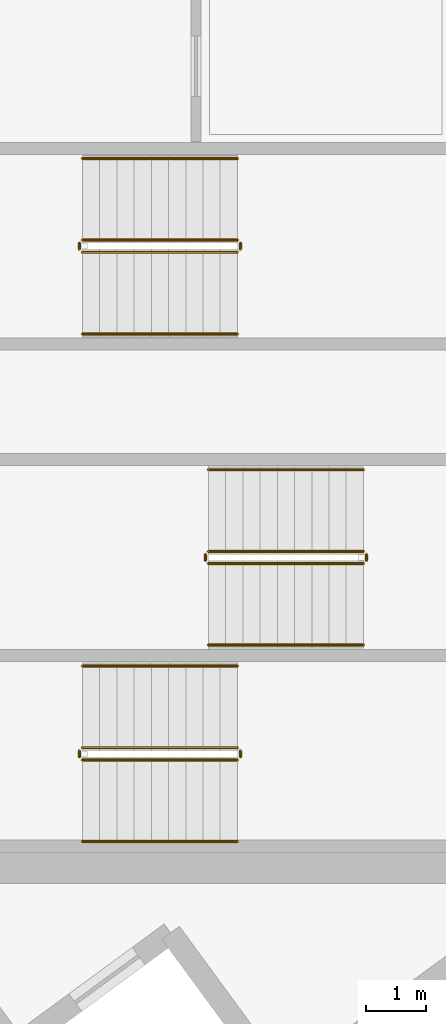
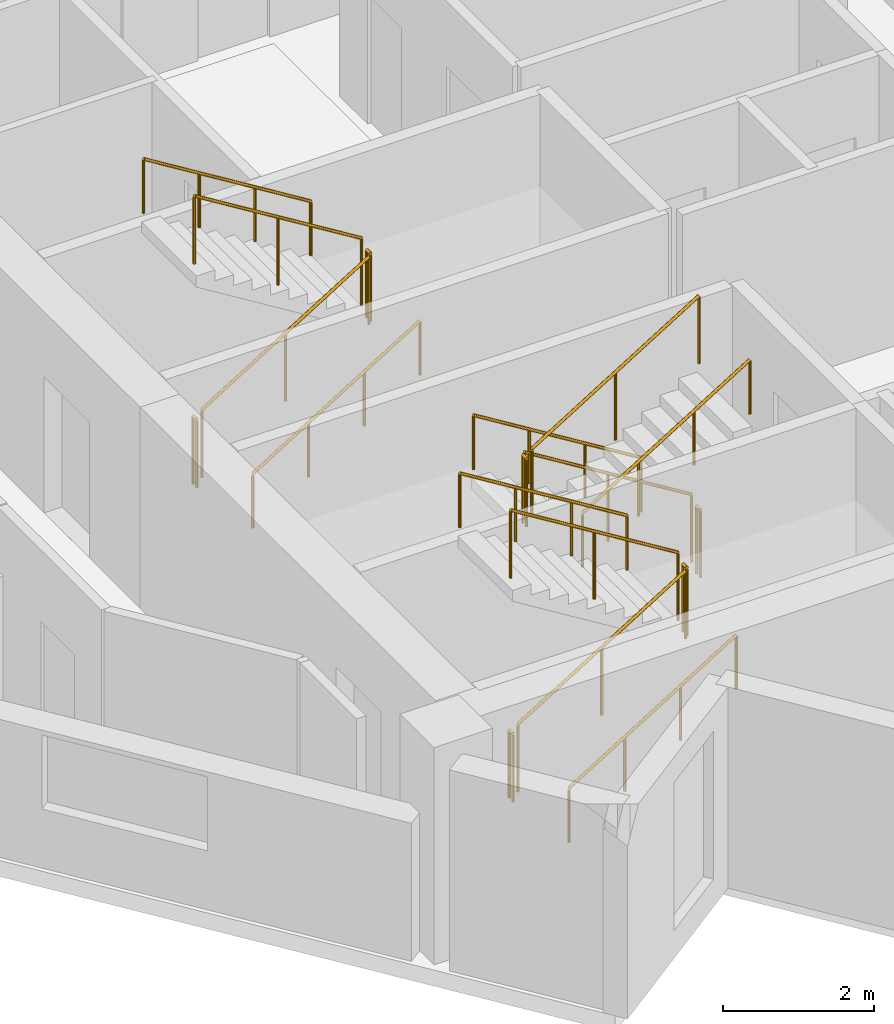
# One storey, part 13 of 14: 18 railings.
"""IFC4 building model written with IfcOpenShell, lengths in metres."""

import ifcopenshell
import ifcopenshell.guid

model = None  # the IFC model being written
_history = None  # IfcOwnerHistory: only IFC2X3 demands one
_inside = {}  # id of a spatial element -> (the spatial element, [elements in it])
_under = {}  # id of a project, library or spatial element -> (it, [spatial elements below it])
_declared = {}  # id of a project -> (the project, [libraries it declares])
_typed = {}  # id of a type object -> (the type object, [elements of that type])
_made_of = {}  # id of a material, layer set ... -> (it, [elements and type objects made of it])


def new_model(schema):
    """Start an empty IFC model of exactly this schema.

    Asked for "IFC4X3", IfcOpenShell would pick the latest addendum, in which some entities
    have other attributes; the version numbers below select the first issue.
    IFC2X3 requires an IfcOwnerHistory on every rooted entity: one is made here for all.
    """
    global model, _history
    if schema == "IFC4X3":
        model = ifcopenshell.file(schema_version=(4, 3, 0, 0))
    else:
        model = ifcopenshell.file(schema=schema)
    _inside.clear()
    _under.clear()
    _declared.clear()
    _typed.clear()
    _made_of.clear()
    _history = None
    if model.schema == "IFC2X3":
        org = make("IfcOrganization", Name="unknown")
        user = make(
            "IfcPersonAndOrganization",
            ThePerson=make("IfcPerson", FamilyName="unknown"),
            TheOrganization=org,
        )
        app = make(
            "IfcApplication",
            ApplicationDeveloper=org,
            Version="unknown",
            ApplicationFullName="unknown",
            ApplicationIdentifier="unknown",
        )
        _history = make(
            "IfcOwnerHistory",
            OwningUser=user,
            OwningApplication=app,
            ChangeAction="ADDED",
            CreationDate=0,
        )
    return model


def make(cls, **values):
    """One entity of the class cls with the attributes given. An attribute that is None is left unset."""
    return model.create_entity(
        cls, **{name: value for name, value in values.items() if value is not None}
    )


def rooted(cls, **values):
    """An entity with a GlobalId (a new one), such as an element, a storey or a relation."""
    return make(cls, GlobalId=ifcopenshell.guid.new(), OwnerHistory=_history, **values)


def si_unit(unit_type, name, prefix=None):
    """IfcSIUnit, for example si_unit("LENGTHUNIT", "METRE", prefix="MILLI")."""
    return make("IfcSIUnit", UnitType=unit_type, Prefix=prefix, Name=name)


def assignment(units):
    """IfcUnitAssignment: the units of a project."""
    return None if units is None else make("IfcUnitAssignment", Units=units)


def point(xyz):
    """IfcCartesianPoint."""
    return None if xyz is None else make("IfcCartesianPoint", Coordinates=xyz)


def direction(xyz):
    """IfcDirection."""
    return None if xyz is None else make("IfcDirection", DirectionRatios=xyz)


def frame(location, z_axis=None, x_axis=None):
    """IfcAxis2Placement3D, a coordinate frame: its origin and axes. An axis left out is left unset."""
    return make(
        "IfcAxis2Placement3D",
        Location=point(location),
        Axis=direction(z_axis),
        RefDirection=direction(x_axis),
    )


def frame_2d(location, x_axis=None):
    """IfcAxis2Placement2D, a coordinate frame in the plane: its origin and x axis."""
    return make(
        "IfcAxis2Placement2D", Location=point(location), RefDirection=direction(x_axis)
    )


def origin():
    """The frame at (0, 0, 0) with its axes left unset."""
    return frame((0.0, 0.0, 0.0))


def origin_2d():
    """The frame at (0, 0) in the plane with its x axis left unset."""
    return frame_2d((0.0, 0.0))


def place(relative_to, where):
    """IfcLocalPlacement: puts the frame where relative to a parent placement (None: the world)."""
    return make(
        "IfcLocalPlacement", PlacementRelTo=relative_to, RelativePlacement=where
    )


def context(
    kind, dimensions, precision=None, world=None, true_north=None, identifier=None
):
    """IfcGeometricRepresentationContext, for example the 3D "Model" context."""
    return make(
        "IfcGeometricRepresentationContext",
        ContextIdentifier=identifier,
        ContextType=kind,
        CoordinateSpaceDimension=dimensions,
        Precision=precision,
        WorldCoordinateSystem=world,
        TrueNorth=true_north,
    )


def subcontext(parent, identifier, kind, view, scale=None):
    """IfcGeometricRepresentationSubContext, for example "Body" below "Model"."""
    return make(
        "IfcGeometricRepresentationSubContext",
        ContextIdentifier=identifier,
        ContextType=kind,
        ParentContext=parent,
        TargetScale=scale,
        TargetView=view,
    )


def project(units=None, contexts=None):
    """IfcProject with its units and contexts."""
    return rooted(
        "IfcProject",
        Name="project",
        RepresentationContexts=contexts,
        UnitsInContext=assignment(units),
    )


def spatial(cls, under=None, at=None, **own):
    """A site, building, storey or space (cls), placed at a placement, below another one or the project."""
    s = rooted(cls, ObjectPlacement=at, **own)
    if under is not None:
        _under.setdefault(under.id(), (under, []))[1].append(s)
    return s


def profile(cls, at=None, kind="AREA", **sizes):
    """A parametric profile (cls). Its sizes go by their IFC names, for example OverallWidth=200.0."""
    return make(cls, ProfileType=kind, Position=at, **sizes)


def circle(**sizes):
    """IfcCircleProfileDef."""
    return profile("IfcCircleProfileDef", **sizes)


def extrude(swept, where, along, depth):
    """IfcExtrudedAreaSolid: the profile swept, set in the frame where, extruded along a direction by depth."""
    return make(
        "IfcExtrudedAreaSolid",
        SweptArea=swept,
        Position=where,
        ExtrudedDirection=direction(along),
        Depth=depth,
    )


def shape(context_of_items, identifier, shape_type, items):
    """IfcShapeRepresentation: the items that make up one representation, for example the "Body"."""
    return make(
        "IfcShapeRepresentation",
        ContextOfItems=context_of_items,
        RepresentationIdentifier=identifier,
        RepresentationType=shape_type,
        Items=items,
    )


def material(Name=None, Category=None):
    """IfcMaterial."""
    return make("IfcMaterial", Name=Name, Category=Category)


def made_of(thing, what):
    """Note that an element or type object is made of a material, layer set ...; save() writes the relation."""
    if what is not None:
        _made_of.setdefault(what.id(), (what, []))[1].append(thing)
    return thing


def type_object(cls, material=None, **own):
    """A type object (cls), such as IfcWallType, which elements share."""
    return made_of(rooted(cls, **own), material)


def element(
    cls,
    number,
    at=None,
    inside=None,
    cuts=None,
    type_object=None,
    material=None,
    context=None,
    identifier="Body",
    shape_type=None,
    held_by="IfcProductDefinitionShape",
    body=None,
    shapes=None,
    **own,
):
    """One element of the class cls, such as IfcWall. Its Tag is "e" and its number.

    at: its placement. inside: the storey or other place that contains it. cuts: it is an
    opening in that element (IfcRelVoidsElement). A single representation is given by context,
    identifier, shape_type and body (its items); several are given by shapes. held_by: the class
    of the entity that holds the representations. save() writes the other relations.
    """
    e = rooted(cls, Tag="e%d" % number, ObjectPlacement=at, **own)
    if body is not None:
        shapes = [shape(context, identifier, shape_type, body)]
    if shapes is not None:
        e.Representation = make(held_by, Representations=shapes)
    if inside is not None:
        _inside.setdefault(inside.id(), (inside, []))[1].append(e)
    if cuts is not None:
        rooted(
            "IfcRelVoidsElement", RelatingBuildingElement=cuts, RelatedOpeningElement=e
        )
    if type_object is not None:
        _typed.setdefault(type_object.id(), (type_object, []))[1].append(e)
    return made_of(e, material)


def aggregate(whole, parts):
    """IfcRelAggregates: a whole, such as a stair, and the parts it consists of."""
    return rooted("IfcRelAggregates", RelatingObject=whole, RelatedObjects=parts)


def save(model, path):
    """Write the relations noted so far, then the file.

    IfcRelAggregates (storeys below a building ...), IfcRelContainedInSpatialStructure (elements
    in a storey), IfcRelDefinesByType, IfcRelAssociatesMaterial and IfcRelDeclares: one each for
    every whole, place, type object, material and project.
    """
    for whole, parts in _under.values():
        aggregate(whole, parts)
    for where, things in _inside.values():
        rooted(
            "IfcRelContainedInSpatialStructure",
            RelatedElements=things,
            RelatingStructure=where,
        )
    for kind, things in _typed.values():
        rooted("IfcRelDefinesByType", RelatedObjects=things, RelatingType=kind)
    for what, things in _made_of.values():
        rooted("IfcRelAssociatesMaterial", RelatedObjects=things, RelatingMaterial=what)
    for by, libraries in _declared.values():
        rooted("IfcRelDeclares", RelatingContext=by, RelatedDefinitions=libraries)
    model.write(path)


model = new_model("IFC4")

# Units and contexts
model_context = context("Model", 3, precision=1e-05, world=origin(), true_north=direction((0.0, 1.0)))
body_context = subcontext(model_context, "Body", "Model", "MODEL_VIEW")
ifc_project = project(units=[si_unit("LENGTHUNIT", "METRE"), si_unit("AREAUNIT", "SQUARE_METRE"), si_unit("VOLUMEUNIT", "CUBIC_METRE"), si_unit("PLANEANGLEUNIT", "RADIAN"), si_unit("MASSUNIT", "GRAM", prefix="KILO")], contexts=[model_context])

# Site, building, storey
site_placement = place(None, origin())
site = spatial("IfcSite", under=ifc_project, at=site_placement, CompositionType="ELEMENT")
building_placement = place(site_placement, origin())
building = spatial("IfcBuilding", under=site, at=building_placement, Name="Narakoshi Arena Tower", CompositionType="ELEMENT")
storey_placement = place(building_placement, frame((0.0, 0.0, 260.739990234375)))
storey = spatial("IfcBuildingStorey", under=building, at=storey_placement, Name="L71", CompositionType="ELEMENT", Elevation=260.739990234375)

# Railings
ifc_material_1 = material(Name="Clear low-iron laminated structural glass", Category="glass")
railing_type_1 = type_object("IfcRailingType", Name="RL-BAL-1100", PredefinedType="BALUSTRADE", material=ifc_material_1)
railing_1_placement = place(storey_placement, frame((74.39990234375, 36.949951171875, 0.176025390625)))
element("IfcRailing", 1, at=railing_1_placement, inside=storey, type_object=railing_type_1, Name="L71 ST1 stair guard 1", PredefinedType="BALUSTRADE", context=body_context, shape_type="SweptSolid", body=[
    extrude(circle(Radius=0.02392578125, at=origin_2d()), frame((0.0, 0.0, 1.09619140625), z_axis=(0.850856559306, 0.0, 0.525398054323), x_axis=(0.0, 1.0, 0.0)), (0.0, 0.0, 1.0), 3.014892578125),
    extrude(circle(Radius=0.02099609375, at=origin_2d()), origin(), (0.0, 0.0, 1.0), 1.072021484375),
    extrude(circle(Radius=0.02099609375, at=origin_2d()), frame((1.28271484375, 0.0, 0.7919921875)), (0.0, 0.0, 1.0), 1.072021484375),
    extrude(circle(Radius=0.02099609375, at=origin_2d()), frame((2.565185546875, 0.0, 1.583984375)), (0.0, 0.0, 1.0), 1.072021484375),
])
railing_2_placement = place(storey_placement, frame((77.014892578125, 37.0, 1.760009765625)))
element("IfcRailing", 2, at=railing_2_placement, inside=storey, type_object=railing_type_1, Name="L71 ST1 stair guard 2", PredefinedType="BALUSTRADE", context=body_context, shape_type="SweptSolid", body=[
    extrude(circle(Radius=0.02392578125, at=origin_2d()), frame((0.0, 0.0, 1.09619140625), z_axis=(0.0, 1.0, 0.0), x_axis=(-1.0, 0.0, 0.0)), (0.0, 0.0, 1.0), 0.10009765625),
    extrude(circle(Radius=0.02099609375, at=origin_2d()), origin(), (0.0, 0.0, 1.0), 1.072021484375),
    extrude(circle(Radius=0.02099609375, at=origin_2d()), frame((0.0, 0.10009765625, 0.0)), (0.0, 0.0, 1.0), 1.072021484375),
])
railing_3_placement = place(storey_placement, frame((76.965087890625, 37.14990234375, 1.93603515625)))
element("IfcRailing", 3, at=railing_3_placement, inside=storey, type_object=railing_type_1, Name="L71 ST1 stair guard 3", PredefinedType="BALUSTRADE", context=body_context, shape_type="SweptSolid", body=[
    extrude(circle(Radius=0.02392578125, at=origin_2d()), frame((0.0, 0.0, 1.09619140625), z_axis=(-0.850856559306, 0.0, 0.525398054323), x_axis=(0.0, -1.0, 0.0)), (0.0, 0.0, 1.0), 3.014892578125),
    extrude(circle(Radius=0.02099609375, at=origin_2d()), origin(), (0.0, 0.0, 1.0), 1.072021484375),
    extrude(circle(Radius=0.02099609375, at=origin_2d()), frame((-1.28271484375, 0.0, 0.7919921875)), (0.0, 0.0, 1.0), 1.072021484375),
    extrude(circle(Radius=0.02099609375, at=origin_2d()), frame((-2.565185546875, 0.0, 1.583984375)), (0.0, 0.0, 1.0), 1.072021484375),
])
railing_4_placement = place(storey_placement, frame((74.35009765625, 37.0, 0.0)))
element("IfcRailing", 4, at=railing_4_placement, inside=storey, type_object=railing_type_1, Name="L71 ST1 stair guard 4", PredefinedType="BALUSTRADE", context=body_context, shape_type="SweptSolid", body=[
    extrude(circle(Radius=0.02392578125, at=origin_2d()), frame((0.0, 0.0, 1.09619140625), z_axis=(0.0, 1.0, 0.0), x_axis=(-1.0, 0.0, 0.0)), (0.0, 0.0, 1.0), 0.10009765625),
    extrude(circle(Radius=0.02099609375, at=origin_2d()), origin(), (0.0, 0.0, 1.0), 1.072021484375),
    extrude(circle(Radius=0.02099609375, at=origin_2d()), frame((0.0, 0.10009765625, 0.0)), (0.0, 0.0, 1.0), 1.072021484375),
])
railing_5_placement = place(storey_placement, frame((79.050048828125, 40.39990234375, 0.176025390625)))
element("IfcRailing", 5, at=railing_5_placement, inside=storey, type_object=railing_type_1, Name="L71 ST2 stair guard 1", PredefinedType="BALUSTRADE", context=body_context, shape_type="SweptSolid", body=[
    extrude(circle(Radius=0.02392578125, at=origin_2d()), frame((0.0, 0.0, 1.09619140625), z_axis=(-0.850834203031, 0.0, 0.525434257497), x_axis=(0.0, -1.0, 0.0)), (0.0, 0.0, 1.0), 3.0146484375),
    extrude(circle(Radius=0.02099609375, at=origin_2d()), origin(), (0.0, 0.0, 1.0), 1.072021484375),
    extrude(circle(Radius=0.02099609375, at=origin_2d()), frame((-1.282470703125, 0.0, 0.7919921875)), (0.0, 0.0, 1.0), 1.072021484375),
    extrude(circle(Radius=0.02099609375, at=origin_2d()), frame((-2.56494140625, 0.0, 1.583984375)), (0.0, 0.0, 1.0), 1.072021484375),
])
railing_6_placement = place(storey_placement, frame((76.43505859375, 40.35009765625, 1.760009765625)))
element("IfcRailing", 6, at=railing_6_placement, inside=storey, type_object=railing_type_1, Name="L71 ST2 stair guard 2", PredefinedType="BALUSTRADE", context=body_context, shape_type="SweptSolid", body=[
    extrude(circle(Radius=0.02392578125, at=origin_2d()), frame((0.0, 0.0, 1.09619140625), z_axis=(0.0, -1.0, 0.0), x_axis=(1.0, 0.0, 0.0)), (0.0, 0.0, 1.0), 0.10009765625),
    extrude(circle(Radius=0.02099609375, at=origin_2d()), origin(), (0.0, 0.0, 1.0), 1.072021484375),
    extrude(circle(Radius=0.02099609375, at=origin_2d()), frame((0.0, -0.10009765625, 0.0)), (0.0, 0.0, 1.0), 1.072021484375),
])
railing_7_placement = place(storey_placement, frame((76.485107421875, 40.199951171875, 1.93603515625)))
element("IfcRailing", 7, at=railing_7_placement, inside=storey, type_object=railing_type_1, Name="L71 ST2 stair guard 3", PredefinedType="BALUSTRADE", context=body_context, shape_type="SweptSolid", body=[
    extrude(circle(Radius=0.02392578125, at=origin_2d()), frame((0.0, 0.0, 1.09619140625), z_axis=(0.850834203031, 0.0, 0.525434257497), x_axis=(0.0, 1.0, 0.0)), (0.0, 0.0, 1.0), 3.0146484375),
    extrude(circle(Radius=0.02099609375, at=origin_2d()), origin(), (0.0, 0.0, 1.0), 1.072021484375),
    extrude(circle(Radius=0.02099609375, at=origin_2d()), frame((1.282470703125, 0.0, 0.7919921875)), (0.0, 0.0, 1.0), 1.072021484375),
    extrude(circle(Radius=0.02099609375, at=origin_2d()), frame((2.56494140625, 0.0, 1.583984375)), (0.0, 0.0, 1.0), 1.072021484375),
])
railing_8_placement = place(storey_placement, frame((79.10009765625, 40.35009765625, 0.0)))
element("IfcRailing", 8, at=railing_8_placement, inside=storey, type_object=railing_type_1, Name="L71 ST2 stair guard 4", PredefinedType="BALUSTRADE", context=body_context, shape_type="SweptSolid", body=[
    extrude(circle(Radius=0.02392578125, at=origin_2d()), frame((0.0, 0.0, 1.09619140625), z_axis=(0.0, -1.0, 0.0), x_axis=(1.0, 0.0, 0.0)), (0.0, 0.0, 1.0), 0.10009765625),
    extrude(circle(Radius=0.02099609375, at=origin_2d()), origin(), (0.0, 0.0, 1.0), 1.072021484375),
    extrude(circle(Radius=0.02099609375, at=origin_2d()), frame((0.0, -0.10009765625, 0.0)), (0.0, 0.0, 1.0), 1.072021484375),
])
railing_9_placement = place(storey_placement, frame((74.39990234375, 45.35009765625, 0.176025390625)))
element("IfcRailing", 9, at=railing_9_placement, inside=storey, type_object=railing_type_1, Name="L71 ST3 stair guard 1", PredefinedType="BALUSTRADE", context=body_context, shape_type="SweptSolid", body=[
    extrude(circle(Radius=0.02392578125, at=origin_2d()), frame((0.0, 0.0, 1.09619140625), z_axis=(0.850856559306, 0.0, 0.525398054323), x_axis=(0.0, 1.0, 0.0)), (0.0, 0.0, 1.0), 3.014892578125),
    extrude(circle(Radius=0.02099609375, at=origin_2d()), origin(), (0.0, 0.0, 1.0), 1.072021484375),
    extrude(circle(Radius=0.02099609375, at=origin_2d()), frame((1.28271484375, 0.0, 0.7919921875)), (0.0, 0.0, 1.0), 1.072021484375),
    extrude(circle(Radius=0.02099609375, at=origin_2d()), frame((2.565185546875, 0.0, 1.583984375)), (0.0, 0.0, 1.0), 1.072021484375),
])
railing_10_placement = place(storey_placement, frame((77.014892578125, 45.39990234375, 1.760009765625)))
element("IfcRailing", 10, at=railing_10_placement, inside=storey, type_object=railing_type_1, Name="L71 ST3 stair guard 2", PredefinedType="BALUSTRADE", context=body_context, shape_type="SweptSolid", body=[
    extrude(circle(Radius=0.02392578125, at=origin_2d()), frame((0.0, 0.0, 1.09619140625), z_axis=(0.0, 1.0, 0.0), x_axis=(-1.0, 0.0, 0.0)), (0.0, 0.0, 1.0), 0.10009765625),
    extrude(circle(Radius=0.02099609375, at=origin_2d()), origin(), (0.0, 0.0, 1.0), 1.072021484375),
    extrude(circle(Radius=0.02099609375, at=origin_2d()), frame((0.0, 0.10009765625, 0.0)), (0.0, 0.0, 1.0), 1.072021484375),
])
railing_11_placement = place(storey_placement, frame((76.965087890625, 45.550048828125, 1.93603515625)))
element("IfcRailing", 11, at=railing_11_placement, inside=storey, type_object=railing_type_1, Name="L71 ST3 stair guard 3", PredefinedType="BALUSTRADE", context=body_context, shape_type="SweptSolid", body=[
    extrude(circle(Radius=0.02392578125, at=origin_2d()), frame((0.0, 0.0, 1.09619140625), z_axis=(-0.850856559306, 0.0, 0.525398054323), x_axis=(0.0, -1.0, 0.0)), (0.0, 0.0, 1.0), 3.014892578125),
    extrude(circle(Radius=0.02099609375, at=origin_2d()), origin(), (0.0, 0.0, 1.0), 1.072021484375),
    extrude(circle(Radius=0.02099609375, at=origin_2d()), frame((-1.28271484375, 0.0, 0.7919921875)), (0.0, 0.0, 1.0), 1.072021484375),
    extrude(circle(Radius=0.02099609375, at=origin_2d()), frame((-2.565185546875, 0.0, 1.583984375)), (0.0, 0.0, 1.0), 1.072021484375),
])
railing_12_placement = place(storey_placement, frame((74.35009765625, 45.39990234375, 0.0)))
element("IfcRailing", 12, at=railing_12_placement, inside=storey, type_object=railing_type_1, Name="L71 ST3 stair guard 4", PredefinedType="BALUSTRADE", context=body_context, shape_type="SweptSolid", body=[
    extrude(circle(Radius=0.02392578125, at=origin_2d()), frame((0.0, 0.0, 1.09619140625), z_axis=(0.0, 1.0, 0.0), x_axis=(-1.0, 0.0, 0.0)), (0.0, 0.0, 1.0), 0.10009765625),
    extrude(circle(Radius=0.02099609375, at=origin_2d()), origin(), (0.0, 0.0, 1.0), 1.072021484375),
    extrude(circle(Radius=0.02099609375, at=origin_2d()), frame((0.0, 0.10009765625, 0.0)), (0.0, 0.0, 1.0), 1.072021484375),
])
ifc_material_2 = material(Name="Brushed bronze stainless steel", Category="steel")
railing_type_2 = type_object("IfcRailingType", Name="RL-HND-900", PredefinedType="HANDRAIL", material=ifc_material_2)
railing_13_placement = place(storey_placement, frame((74.39990234375, 35.60009765625, 0.176025390625)))
element("IfcRailing", 13, at=railing_13_placement, inside=storey, type_object=railing_type_2, Name="L71 ST1 stair handrail 1", PredefinedType="HANDRAIL", context=body_context, shape_type="SweptSolid", body=[
    extrude(circle(Radius=0.02392578125, at=origin_2d()), frame((0.0, 0.0, 0.8759765625), z_axis=(0.850856559306, 0.0, 0.525398054323), x_axis=(0.0, 1.0, 0.0)), (0.0, 0.0, 1.0), 3.014892578125),
    extrude(circle(Radius=0.02099609375, at=origin_2d()), origin(), (0.0, 0.0, 1.0), 0.851806640625),
    extrude(circle(Radius=0.02099609375, at=origin_2d()), frame((0.85498046875, 0.0, 0.528076171875)), (0.0, 0.0, 1.0), 0.851806640625),
    extrude(circle(Radius=0.02099609375, at=origin_2d()), frame((1.710205078125, 0.0, 1.055908203125)), (0.0, 0.0, 1.0), 0.851806640625),
    extrude(circle(Radius=0.02099609375, at=origin_2d()), frame((2.565185546875, 0.0, 1.583984375)), (0.0, 0.0, 1.0), 0.851806640625),
])
railing_14_placement = place(storey_placement, frame((76.965087890625, 38.5, 1.93603515625)))
element("IfcRailing", 14, at=railing_14_placement, inside=storey, type_object=railing_type_2, Name="L71 ST1 stair handrail 2", PredefinedType="HANDRAIL", context=body_context, shape_type="SweptSolid", body=[
    extrude(circle(Radius=0.02392578125, at=origin_2d()), frame((0.0, 0.0, 0.8759765625), z_axis=(-0.850856559306, 0.0, 0.525398054323), x_axis=(0.0, -1.0, 0.0)), (0.0, 0.0, 1.0), 3.014892578125),
    extrude(circle(Radius=0.02099609375, at=origin_2d()), origin(), (0.0, 0.0, 1.0), 0.851806640625),
    extrude(circle(Radius=0.02099609375, at=origin_2d()), frame((-0.85498046875, 0.0, 0.528076171875)), (0.0, 0.0, 1.0), 0.851806640625),
    extrude(circle(Radius=0.02099609375, at=origin_2d()), frame((-1.710205078125, 0.0, 1.055908203125)), (0.0, 0.0, 1.0), 0.851806640625),
    extrude(circle(Radius=0.02099609375, at=origin_2d()), frame((-2.565185546875, 0.0, 1.583984375)), (0.0, 0.0, 1.0), 0.851806640625),
])
railing_15_placement = place(storey_placement, frame((79.050048828125, 41.75, 0.176025390625)))
element("IfcRailing", 15, at=railing_15_placement, inside=storey, type_object=railing_type_2, Name="L71 ST2 stair handrail 1", PredefinedType="HANDRAIL", context=body_context, shape_type="SweptSolid", body=[
    extrude(circle(Radius=0.02392578125, at=origin_2d()), frame((0.0, 0.0, 0.8759765625), z_axis=(-0.850834203031, 0.0, 0.525434257497), x_axis=(0.0, -1.0, 0.0)), (0.0, 0.0, 1.0), 3.0146484375),
    extrude(circle(Radius=0.02099609375, at=origin_2d()), origin(), (0.0, 0.0, 1.0), 0.851806640625),
    extrude(circle(Radius=0.02099609375, at=origin_2d()), frame((-0.85498046875, 0.0, 0.528076171875)), (0.0, 0.0, 1.0), 0.851806640625),
    extrude(circle(Radius=0.02099609375, at=origin_2d()), frame((-1.7099609375, 0.0, 1.055908203125)), (0.0, 0.0, 1.0), 0.851806640625),
    extrude(circle(Radius=0.02099609375, at=origin_2d()), frame((-2.56494140625, 0.0, 1.583984375)), (0.0, 0.0, 1.0), 0.851806640625),
])
railing_16_placement = place(storey_placement, frame((76.485107421875, 38.85009765625, 1.93603515625)))
element("IfcRailing", 16, at=railing_16_placement, inside=storey, type_object=railing_type_2, Name="L71 ST2 stair handrail 2", PredefinedType="HANDRAIL", context=body_context, shape_type="SweptSolid", body=[
    extrude(circle(Radius=0.02392578125, at=origin_2d()), frame((0.0, 0.0, 0.8759765625), z_axis=(0.850834203031, 0.0, 0.525434257497), x_axis=(0.0, 1.0, 0.0)), (0.0, 0.0, 1.0), 3.0146484375),
    extrude(circle(Radius=0.02099609375, at=origin_2d()), origin(), (0.0, 0.0, 1.0), 0.851806640625),
    extrude(circle(Radius=0.02099609375, at=origin_2d()), frame((0.85498046875, 0.0, 0.528076171875)), (0.0, 0.0, 1.0), 0.851806640625),
    extrude(circle(Radius=0.02099609375, at=origin_2d()), frame((1.7099609375, 0.0, 1.055908203125)), (0.0, 0.0, 1.0), 0.851806640625),
    extrude(circle(Radius=0.02099609375, at=origin_2d()), frame((2.56494140625, 0.0, 1.583984375)), (0.0, 0.0, 1.0), 0.851806640625),
])
railing_17_placement = place(storey_placement, frame((74.39990234375, 44.0, 0.176025390625)))
element("IfcRailing", 17, at=railing_17_placement, inside=storey, type_object=railing_type_2, Name="L71 ST3 stair handrail 1", PredefinedType="HANDRAIL", context=body_context, shape_type="SweptSolid", body=[
    extrude(circle(Radius=0.02392578125, at=origin_2d()), frame((0.0, 0.0, 0.8759765625), z_axis=(0.850856559306, 0.0, 0.525398054323), x_axis=(0.0, 1.0, 0.0)), (0.0, 0.0, 1.0), 3.014892578125),
    extrude(circle(Radius=0.02099609375, at=origin_2d()), origin(), (0.0, 0.0, 1.0), 0.851806640625),
    extrude(circle(Radius=0.02099609375, at=origin_2d()), frame((0.85498046875, 0.0, 0.528076171875)), (0.0, 0.0, 1.0), 0.851806640625),
    extrude(circle(Radius=0.02099609375, at=origin_2d()), frame((1.710205078125, 0.0, 1.055908203125)), (0.0, 0.0, 1.0), 0.851806640625),
    extrude(circle(Radius=0.02099609375, at=origin_2d()), frame((2.565185546875, 0.0, 1.583984375)), (0.0, 0.0, 1.0), 0.851806640625),
])
railing_18_placement = place(storey_placement, frame((76.965087890625, 46.89990234375, 1.93603515625)))
element("IfcRailing", 18, at=railing_18_placement, inside=storey, type_object=railing_type_2, Name="L71 ST3 stair handrail 2", PredefinedType="HANDRAIL", context=body_context, shape_type="SweptSolid", body=[
    extrude(circle(Radius=0.02392578125, at=origin_2d()), frame((0.0, 0.0, 0.8759765625), z_axis=(-0.850856559306, 0.0, 0.525398054323), x_axis=(0.0, -1.0, 0.0)), (0.0, 0.0, 1.0), 3.014892578125),
    extrude(circle(Radius=0.02099609375, at=origin_2d()), origin(), (0.0, 0.0, 1.0), 0.851806640625),
    extrude(circle(Radius=0.02099609375, at=origin_2d()), frame((-0.85498046875, 0.0, 0.528076171875)), (0.0, 0.0, 1.0), 0.851806640625),
    extrude(circle(Radius=0.02099609375, at=origin_2d()), frame((-1.710205078125, 0.0, 1.055908203125)), (0.0, 0.0, 1.0), 0.851806640625),
    extrude(circle(Radius=0.02099609375, at=origin_2d()), frame((-2.565185546875, 0.0, 1.583984375)), (0.0, 0.0, 1.0), 0.851806640625),
])

save(model, "model.ifc")
